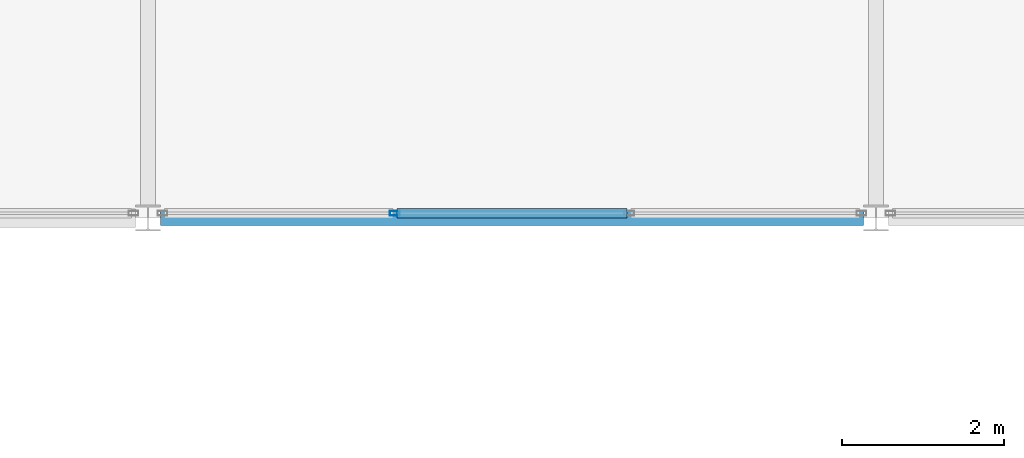
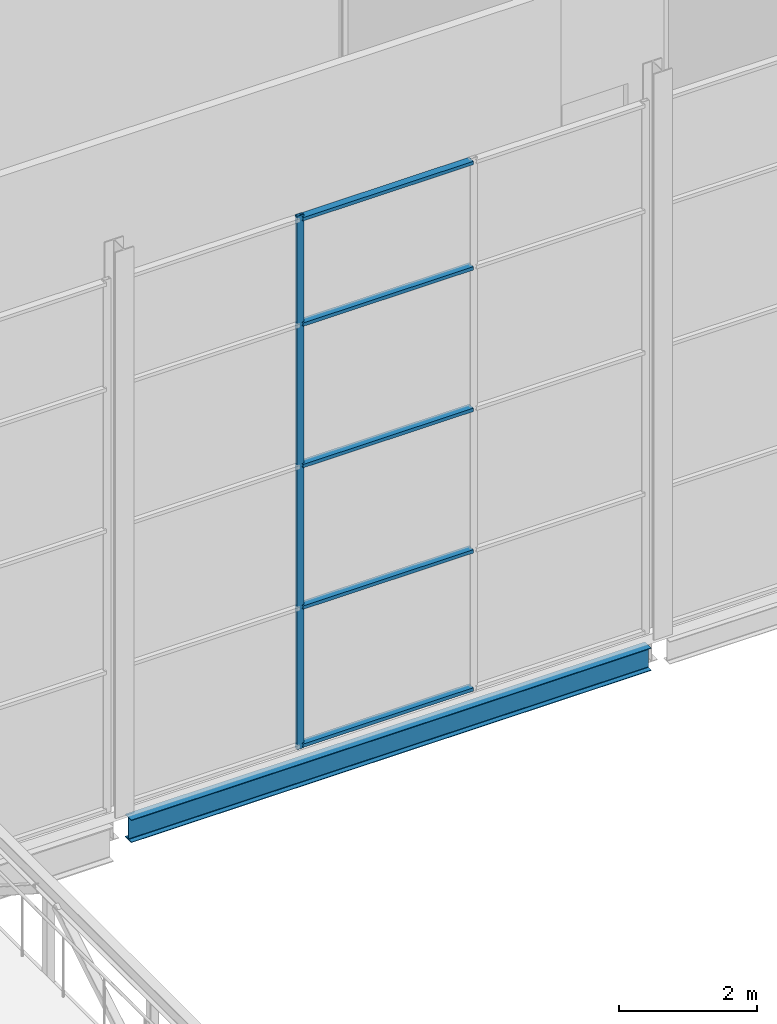
# One storey, part 60 of 111: 6 members, 1 beam, 1 element without a shape of its own.
"""IFC4 building model written with IfcOpenShell, lengths in metres."""

from ifc_helpers import new_model, si_unit, direction, frame, origin, origin_2d, place, context, subcontext, project, spatial, hollow_rectangle, i_section, extrude, material, layer, layer_set, material_profile, profile_set, type_object, element, aggregate, save


model = new_model("IFC4")

# Units and contexts
model_context = context("Model", 3, precision=1e-05, world=origin(), true_north=direction((0.0, 1.0)))
body_context = subcontext(model_context, "Body", "Model", "MODEL_VIEW")
ifc_project = project(units=[si_unit("LENGTHUNIT", "METRE"), si_unit("AREAUNIT", "SQUARE_METRE"), si_unit("VOLUMEUNIT", "CUBIC_METRE"), si_unit("PLANEANGLEUNIT", "RADIAN"), si_unit("MASSUNIT", "GRAM", prefix="KILO")], contexts=[model_context])

# Site, building, storey
site_placement = place(None, origin())
site = spatial("IfcSite", under=ifc_project, at=site_placement, CompositionType="ELEMENT")
building_placement = place(site_placement, origin())
building = spatial("IfcBuilding", under=site, at=building_placement, Name="Shorebreak Coast Museum", CompositionType="ELEMENT")
storey_placement = place(building_placement, frame((0.0, 0.0, 16.0)))
storey = spatial("IfcBuildingStorey", under=building, at=storey_placement, Name="L03", CompositionType="ELEMENT", Elevation=16.0)

# Beam
ifc_material_1 = material(Name="Steel Grade 300", Category="steel")
ifc_material_profile_1 = material_profile(ifc_material_1, i_section(OverallWidth=0.177978515625, OverallDepth=0.402587890625, WebThickness=0.007568359375, FlangeThickness=0.010986328125, FilletRadius=0.011474609375, at=origin_2d()), Name="410UB53.7")
ifc_profile_set_1 = profile_set([ifc_material_profile_1], Name="Steel Grade 300")
beam_type = type_object("IfcBeamType", Name="Floor girder east-west 410UB53.7", PredefinedType="BEAM", material=ifc_profile_set_1)
beam_placement = place(storey_placement, frame((90.155517578125, 81.0, -0.376220703125), z_axis=(1.0, 0.0, 0.0), x_axis=(0.0, 1.0, 0.0)))
element("IfcBeam", 1, at=beam_placement, inside=storey, type_object=beam_type, Name="Floor girder east-west L03 11K", PredefinedType="BEAM", context=body_context, shape_type="SweptSolid", body=[
    extrude(i_section(OverallWidth=0.177978515625, OverallDepth=0.402587890625, WebThickness=0.007568359375, FlangeThickness=0.010986328125, FilletRadius=0.011474609375, at=origin_2d()), origin(), (0.0, 0.0, 1.0), 8.68896484375),
])

# Curtain wall, members
ifc_material_2 = material(Name="Aluminium", Category="aluminium")
ifc_layer = layer(ifc_material_2, 0.1201171875)
ifc_layer_set = layer_set([ifc_layer], Name="Aluminium")
curtain_wall_type = type_object("IfcCurtainWallType", Name="Atrium fire screen", PredefinedType="NOTDEFINED", material=ifc_layer_set)
curtain_wall_placement = place(storey_placement, origin())
curtain_wall = element("IfcCurtainWall", 2, at=curtain_wall_placement, inside=storey, type_object=curtain_wall_type, Name="Atrium screen L03 N 43", PredefinedType="NOTDEFINED")
ifc_material_3 = material(Name="Aluminium", Category="aluminium")
ifc_material_profile_2 = material_profile(ifc_material_3, hollow_rectangle(XDim=0.06005859375, YDim=0.1201171875, WallThickness=0.00341796875, at=origin_2d()), Name="AL 120x60 RHS")
ifc_profile_set_2 = profile_set([ifc_material_profile_2], Name="Aluminium")
member_type_1 = type_object("IfcMemberType", Name="Screen mullion 50 x 120", PredefinedType="MULLION", material=ifc_profile_set_2)
member_1_placement = place(storey_placement, frame((93.051513671875, 81.06005859375, 0.0), z_axis=(0.0, 0.0, 1.0), x_axis=(0.0, 1.0, 0.0)))
member_1 = element("IfcMember", 3, at=member_1_placement, type_object=member_type_1, Name="CW5 mullion 2", PredefinedType="MULLION", context=body_context, shape_type="SweptSolid", body=[
    extrude(hollow_rectangle(XDim=0.06005859375, YDim=0.1201171875, WallThickness=0.00341796875, at=origin_2d()), origin(), (0.0, 0.0, 1.0), 9.42236328125),
])
ifc_material_4 = material(Name="Aluminium", Category="aluminium")
ifc_material_profile_3 = material_profile(ifc_material_4, hollow_rectangle(XDim=0.1201171875, YDim=0.06005859375, WallThickness=0.00341796875, at=origin_2d()), Name="AL 60x120 RHS")
ifc_profile_set_3 = profile_set([ifc_material_profile_3], Name="Aluminium")
member_type_2 = type_object("IfcMemberType", Name="Screen transom 120 x 50", PredefinedType="USERDEFINED", material=ifc_profile_set_3)
member_2_placement = place(storey_placement, frame((93.076416015625, 81.06005859375, 0.06005859375), z_axis=(1.0, 0.0, 0.0), x_axis=(0.0, 1.0, 0.0)))
member_2 = element("IfcMember", 4, at=member_2_placement, type_object=member_type_2, Name="CW5 transom 2.1", ObjectType="TRANSOM", PredefinedType="USERDEFINED", context=body_context, shape_type="SweptSolid", body=[
    extrude(hollow_rectangle(XDim=0.1201171875, YDim=0.06005859375, WallThickness=0.00341796875, at=origin_2d()), origin(), (0.0, 0.0, 1.0), 2.84716796875),
])
member_3_placement = place(storey_placement, frame((93.076416015625, 81.06005859375, 2.5), z_axis=(1.0, 0.0, 0.0), x_axis=(0.0, 1.0, 0.0)))
member_3 = element("IfcMember", 5, at=member_3_placement, type_object=member_type_2, Name="CW5 transom 2.2", ObjectType="TRANSOM", PredefinedType="USERDEFINED", context=body_context, shape_type="SweptSolid", body=[
    extrude(hollow_rectangle(XDim=0.1201171875, YDim=0.06005859375, WallThickness=0.00341796875, at=origin_2d()), origin(), (0.0, 0.0, 1.0), 2.84716796875),
])
member_4_placement = place(storey_placement, frame((93.076416015625, 81.06005859375, 5.0), z_axis=(1.0, 0.0, 0.0), x_axis=(0.0, 1.0, 0.0)))
member_4 = element("IfcMember", 6, at=member_4_placement, type_object=member_type_2, Name="CW5 transom 2.3", ObjectType="TRANSOM", PredefinedType="USERDEFINED", context=body_context, shape_type="SweptSolid", body=[
    extrude(hollow_rectangle(XDim=0.1201171875, YDim=0.06005859375, WallThickness=0.00341796875, at=origin_2d()), origin(), (0.0, 0.0, 1.0), 2.84716796875),
])
member_5_placement = place(storey_placement, frame((93.076416015625, 81.06005859375, 7.5), z_axis=(1.0, 0.0, 0.0), x_axis=(0.0, 1.0, 0.0)))
member_5 = element("IfcMember", 7, at=member_5_placement, type_object=member_type_2, Name="CW5 transom 2.4", ObjectType="TRANSOM", PredefinedType="USERDEFINED", context=body_context, shape_type="SweptSolid", body=[
    extrude(hollow_rectangle(XDim=0.1201171875, YDim=0.06005859375, WallThickness=0.00341796875, at=origin_2d()), origin(), (0.0, 0.0, 1.0), 2.84716796875),
])
member_6_placement = place(storey_placement, frame((93.076416015625, 81.06005859375, 9.3623046875), z_axis=(1.0, 0.0, 0.0), x_axis=(0.0, 1.0, 0.0)))
member_6 = element("IfcMember", 8, at=member_6_placement, type_object=member_type_2, Name="CW5 transom 2.5", ObjectType="TRANSOM", PredefinedType="USERDEFINED", context=body_context, shape_type="SweptSolid", body=[
    extrude(hollow_rectangle(XDim=0.1201171875, YDim=0.06005859375, WallThickness=0.00341796875, at=origin_2d()), origin(), (0.0, 0.0, 1.0), 2.84716796875),
])
aggregate(curtain_wall, [member_1, member_2, member_3, member_4, member_5, member_6])

save(model, "model.ifc")
